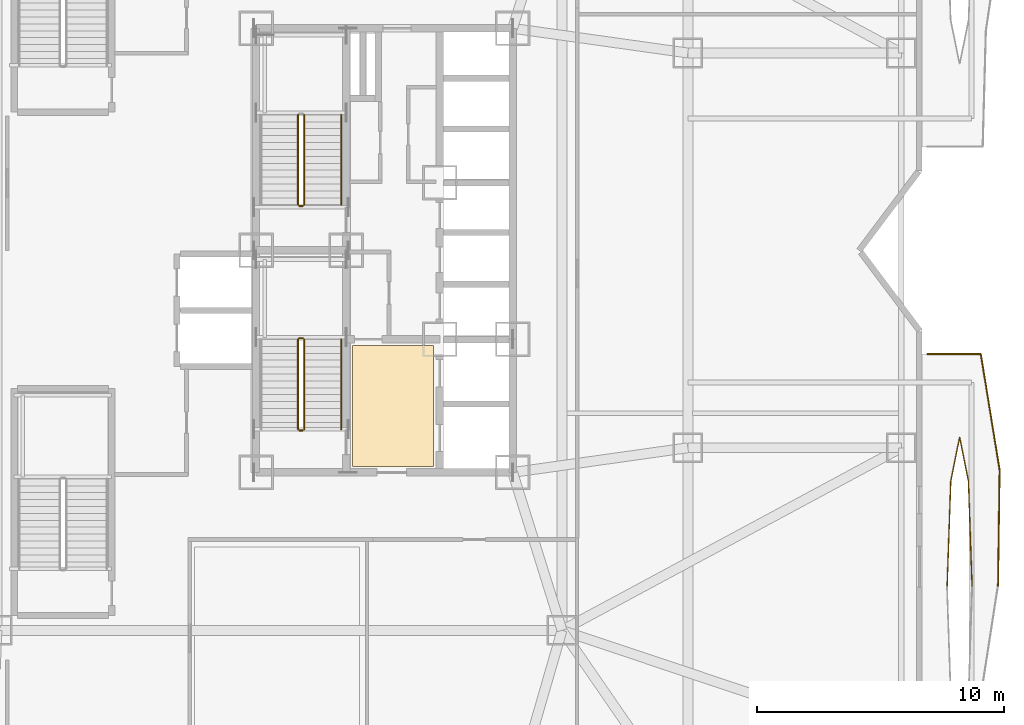
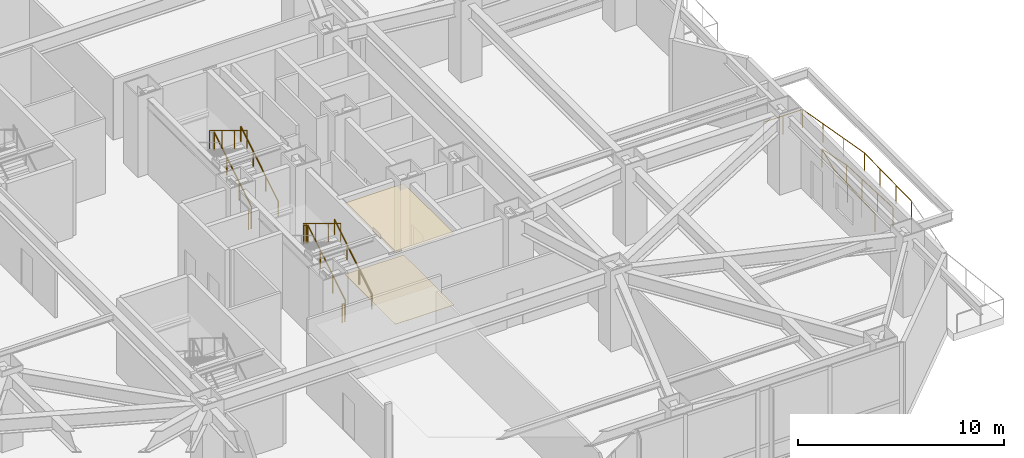
# One storey, part 30 of 33: 11 railings, 2 coverings.
"""IFC4 building model written with IfcOpenShell, lengths in metres."""

from ifc_helpers import new_model, si_unit, direction, frame, origin, origin_2d, place, context, subcontext, project, spatial, polyline, circle, outline, extrude, material, layer, layer_set, type_object, element, save


model = new_model("IFC4")

# Units and contexts
model_context = context("Model", 3, precision=1e-05, world=origin(), true_north=direction((0.0, 1.0)))
body_context = subcontext(model_context, "Body", "Model", "MODEL_VIEW")
ifc_project = project(units=[si_unit("LENGTHUNIT", "METRE"), si_unit("AREAUNIT", "SQUARE_METRE"), si_unit("VOLUMEUNIT", "CUBIC_METRE"), si_unit("PLANEANGLEUNIT", "RADIAN"), si_unit("MASSUNIT", "GRAM", prefix="KILO")], contexts=[model_context])

# Site, building, storey
site_placement = place(None, origin())
site = spatial("IfcSite", under=ifc_project, at=site_placement, CompositionType="ELEMENT")
building_placement = place(site_placement, origin())
building = spatial("IfcBuilding", under=site, at=building_placement, Name="Khamvora Tower", CompositionType="ELEMENT")
storey_placement = place(building_placement, frame((0.0, 0.0, 7.199951171875)))
storey = spatial("IfcBuildingStorey", under=building, at=storey_placement, Name="L01", CompositionType="ELEMENT", Elevation=7.199951171875)

# Coverings
ifc_material_1 = material(Name="Perforated Mineral-Fibre Acoustic Ceiling Tile", Category="gypsum")
ifc_layer_1 = layer(ifc_material_1, 0.02490234375)
ifc_layer_set_1 = layer_set([ifc_layer_1], Name="Perforated Mineral-Fibre Acoustic Ceiling Tile")
covering_type_1 = type_object("IfcCoveringType", Name="COV-CEIL-600", PredefinedType="CEILING", material=ifc_layer_set_1)
covering_1_placement = place(storey_placement, frame((0.0, 0.0, 4.22998046875)))
element("IfcCovering", 1, at=covering_1_placement, inside=storey, type_object=covering_type_1, Name="L01 core lobby suspended acoustic ceiling", PredefinedType="CEILING", context=body_context, shape_type="SweptSolid", body=[
    extrude(outline(polyline([(32.89990234375, 19.25), (36.199951171875, 19.25), (36.199951171875, 24.14990234375), (32.89990234375, 24.14990234375), (32.89990234375, 19.25)])), origin(), (0.0, 0.0, 1.0), 0.025146484375),
])
ifc_material_2 = material(Name="Honed Terrazzo Stone Tile", Category="masonry")
ifc_layer_2 = layer(ifc_material_2, 0.02001953125)
ifc_layer_set_2 = layer_set([ifc_layer_2], Name="Honed Terrazzo Stone Tile")
covering_type_2 = type_object("IfcCoveringType", Name="COV-FLOR-20", PredefinedType="FLOORING", material=ifc_layer_set_2)
covering_2_placement = place(storey_placement, origin())
element("IfcCovering", 2, at=covering_2_placement, inside=storey, type_object=covering_type_2, Name="L01 lift lobby terrazzo flooring", PredefinedType="FLOORING", context=body_context, shape_type="SweptSolid", body=[
    extrude(outline(polyline([(32.89990234375, 19.25), (36.199951171875, 19.25), (36.199951171875, 24.14990234375), (32.89990234375, 24.14990234375), (32.89990234375, 19.25)])), origin(), (0.0, 0.0, 1.0), 0.02001953125),
])

# Railings
ifc_material_3 = material(Name="Stainless Steel 316 and Laminated Glass", Category="steel")
railing_type_1 = type_object("IfcRailingType", Name="RAL-GAL-1120", PredefinedType="GUARDRAIL", material=ifc_material_3)
railing_1_placement = place(storey_placement, frame((59.072998046875, 14.39990234375, 0.0)))
element("IfcRailing", 3, at=railing_1_placement, inside=storey, type_object=railing_type_1, Name="L01 lens gallery north perimeter guardrail EL1", PredefinedType="GUARDRAIL", context=body_context, shape_type="SweptSolid", body=[
    extrude(circle(Radius=0.02392578125, at=origin_2d()), frame((0.0, 0.0, 1.09619140625), z_axis=(0.013815427675, 0.999904562425, 0.0), x_axis=(-0.999904562425, 0.013815427675, 0.0)), (0.0, 0.0, 1.0), 4.70068359375),
    extrude(circle(Radius=0.02392578125, at=origin_2d()), frame((0.06494140625, 4.7001953125, 1.09619140625), z_axis=(-0.160231839887, 0.987079407893, 0.0), x_axis=(-0.987079407893, -0.160231839887, 0.0)), (0.0, 0.0, 1.0), 4.761474609375),
    extrude(circle(Radius=0.02392578125, at=origin_2d()), frame((-0.697998046875, 9.400146484375, 1.09619140625), z_axis=(-1.0, 0.0, 0.0), x_axis=(0.0, -1.0, 0.0)), (0.0, 0.0, 1.0), 2.175048828125),
    extrude(circle(Radius=0.02099609375, at=origin_2d()), origin(), (0.0, 0.0, 1.0), 1.072021484375),
    extrude(circle(Radius=0.02099609375, at=origin_2d()), frame((0.021728515625, 1.566650390625, 0.0)), (0.0, 0.0, 1.0), 1.072021484375),
    extrude(circle(Radius=0.02099609375, at=origin_2d()), frame((0.043212890625, 3.133544921875, 0.0)), (0.0, 0.0, 1.0), 1.072021484375),
    extrude(circle(Radius=0.02099609375, at=origin_2d()), frame((0.06494140625, 4.7001953125, 0.0)), (0.0, 0.0, 1.0), 1.072021484375),
    extrude(circle(Radius=0.02099609375, at=origin_2d()), frame((-0.189453125, 6.266845703125, 0.0)), (0.0, 0.0, 1.0), 1.072021484375),
    extrude(circle(Radius=0.02099609375, at=origin_2d()), frame((-0.443603515625, 7.83349609375, 0.0)), (0.0, 0.0, 1.0), 1.072021484375),
    extrude(circle(Radius=0.02099609375, at=origin_2d()), frame((-0.697998046875, 9.400146484375, 0.0)), (0.0, 0.0, 1.0), 1.072021484375),
    extrude(circle(Radius=0.02099609375, at=origin_2d()), frame((-1.78564453125, 9.400146484375, 0.0)), (0.0, 0.0, 1.0), 1.072021484375),
    extrude(circle(Radius=0.02099609375, at=origin_2d()), frame((-2.873046875, 9.400146484375, 0.0)), (0.0, 0.0, 1.0), 1.072021484375),
])
railing_2_placement = place(storey_placement, frame((58.01904296875, 14.39990234375, 0.0)))
element("IfcRailing", 4, at=railing_2_placement, inside=storey, type_object=railing_type_1, Name="L01 lens gallery void guardrail EL1A", PredefinedType="GUARDRAIL", context=body_context, shape_type="SweptSolid", body=[
    extrude(circle(Radius=0.02392578125, at=origin_2d()), frame((0.0, 0.0, 1.09619140625), z_axis=(-0.034756605959, 0.999395806646, 0.0), x_axis=(-0.999395806646, -0.034756605959, 0.0)), (0.0, 0.0, 1.0), 4.2568359375),
    extrude(circle(Radius=0.02392578125, at=origin_2d()), frame((-0.14794921875, 4.254150390625, 1.09619140625), z_axis=(-0.198152924969, 0.98017111686, 0.0), x_axis=(-0.98017111686, -0.198152924969, 0.0)), (0.0, 0.0, 1.0), 1.797607421875),
    extrude(circle(Radius=0.02392578125, at=origin_2d()), frame((-0.504150390625, 6.01611328125, 1.09619140625), z_axis=(-0.198022438185, -0.980197487232, 0.0), x_axis=(0.980197487232, -0.198022438185, 0.0)), (0.0, 0.0, 1.0), 1.797607421875),
    extrude(circle(Radius=0.02392578125, at=origin_2d()), frame((-0.860107421875, 4.254150390625, 1.09619140625), z_axis=(-0.034756605959, -0.999395806646, 0.0), x_axis=(0.999395806646, -0.034756605959, 0.0)), (0.0, 0.0, 1.0), 4.2568359375),
    extrude(circle(Radius=0.02099609375, at=origin_2d()), origin(), (0.0, 0.0, 1.0), 1.072021484375),
    extrude(circle(Radius=0.02099609375, at=origin_2d()), frame((-0.04931640625, 1.41796875, 0.0)), (0.0, 0.0, 1.0), 1.072021484375),
    extrude(circle(Radius=0.02099609375, at=origin_2d()), frame((-0.0986328125, 2.836181640625, 0.0)), (0.0, 0.0, 1.0), 1.072021484375),
    extrude(circle(Radius=0.02099609375, at=origin_2d()), frame((-0.14794921875, 4.254150390625, 0.0)), (0.0, 0.0, 1.0), 1.072021484375),
    extrude(circle(Radius=0.02099609375, at=origin_2d()), frame((-0.504150390625, 6.01611328125, 0.0)), (0.0, 0.0, 1.0), 1.072021484375),
    extrude(circle(Radius=0.02099609375, at=origin_2d()), frame((-0.860107421875, 4.254150390625, 0.0)), (0.0, 0.0, 1.0), 1.072021484375),
    extrude(circle(Radius=0.02099609375, at=origin_2d()), frame((-0.909423828125, 2.836181640625, 0.0)), (0.0, 0.0, 1.0), 1.072021484375),
    extrude(circle(Radius=0.02099609375, at=origin_2d()), frame((-0.958740234375, 1.41796875, 0.0)), (0.0, 0.0, 1.0), 1.072021484375),
    extrude(circle(Radius=0.02099609375, at=origin_2d()), frame((-1.008056640625, 0.0, 0.0)), (0.0, 0.0, 1.0), 1.072021484375),
])
ifc_material_4 = material(Name="Brushed Stainless Steel 316", Category="steel")
railing_type_2 = type_object("IfcRailingType", Name="RAL-HDR-920", PredefinedType="HANDRAIL", material=ifc_material_4)
for number, where, name in (
    (5, (32.449951171875, 20.75, 0.17138671875), "L01 ST-01 stair handrail 1"),
    (6, (32.449951171875, 29.85009765625, 0.17138671875), "L01 ST-02 stair handrail 1"),
):
    element("IfcRailing", number, at=place(storey_placement, frame(where)), inside=storey, type_object=railing_type_2, Name=name, PredefinedType="HANDRAIL", context=body_context, shape_type="SweptSolid", body=[
        extrude(circle(Radius=0.02392578125, at=origin_2d()), frame((0.0, 0.0, 0.8759765625), z_axis=(0.0, 0.852824790078, 0.522197163366), x_axis=(-1.0, 0.0, 0.0)), (0.0, 0.0, 1.0), 4.26806640625),
        extrude(circle(Radius=0.02099609375, at=origin_2d()), origin(), (0.0, 0.0, 1.0), 0.851806640625),
        extrude(circle(Radius=0.02099609375, at=origin_2d()), frame((0.0, 1.21337890625, 0.742919921875)), (0.0, 0.0, 1.0), 0.851806640625),
        extrude(circle(Radius=0.02099609375, at=origin_2d()), frame((0.0, 2.426513671875, 1.48583984375)), (0.0, 0.0, 1.0), 0.851806640625),
        extrude(circle(Radius=0.02099609375, at=origin_2d()), frame((0.0, 3.639892578125, 2.228759765625)), (0.0, 0.0, 1.0), 0.851806640625),
    ])
ifc_material_5 = material(Name="Stainless Steel 316", Category="steel")
railing_type_3 = type_object("IfcRailingType", Name="RAL-STG-1100", PredefinedType="GUARDRAIL", material=ifc_material_5)
railing_3_placement = place(storey_placement, frame((30.949951171875, 20.75, 0.17138671875)))
element("IfcRailing", 7, at=railing_3_placement, inside=storey, type_object=railing_type_3, Name="L01 ST-01 stair guard 1", PredefinedType="GUARDRAIL", context=body_context, shape_type="SweptSolid", body=[
    extrude(circle(Radius=0.02392578125, at=origin_2d()), frame((0.0, 0.0, 1.076171875), z_axis=(0.0, 0.852824790078, 0.522197163366), x_axis=(-1.0, 0.0, 0.0)), (0.0, 0.0, 1.0), 4.26806640625),
    extrude(circle(Radius=0.02099609375, at=origin_2d()), origin(), (0.0, 0.0, 1.0), 1.052001953125),
    extrude(circle(Radius=0.02099609375, at=origin_2d()), frame((0.0, 1.21337890625, 0.742919921875)), (0.0, 0.0, 1.0), 1.052001953125),
    extrude(circle(Radius=0.02099609375, at=origin_2d()), frame((0.0, 2.426513671875, 1.48583984375)), (0.0, 0.0, 1.0), 1.052001953125),
    extrude(circle(Radius=0.02099609375, at=origin_2d()), frame((0.0, 3.639892578125, 2.228759765625)), (0.0, 0.0, 1.0), 1.052001953125),
])
railing_4_placement = place(storey_placement, frame((30.89990234375, 24.43994140625, 2.400146484375)))
element("IfcRailing", 8, at=railing_4_placement, inside=storey, type_object=railing_type_3, Name="L01 ST-01 stair guard 2", PredefinedType="GUARDRAIL", context=body_context, shape_type="SweptSolid", body=[
    extrude(circle(Radius=0.02392578125, at=origin_2d()), frame((0.0, 0.0, 1.076171875), z_axis=(-1.0, 0.0, 0.0), x_axis=(0.0, -1.0, 0.0)), (0.0, 0.0, 1.0), 0.14990234375),
    extrude(circle(Radius=0.02099609375, at=origin_2d()), origin(), (0.0, 0.0, 1.0), 1.052001953125),
    extrude(circle(Radius=0.02099609375, at=origin_2d()), frame((-0.14990234375, 0.0, 0.0)), (0.0, 0.0, 1.0), 1.052001953125),
])
railing_5_placement = place(storey_placement, frame((30.699951171875, 24.389892578125, 2.571533203125)))
element("IfcRailing", 9, at=railing_5_placement, inside=storey, type_object=railing_type_3, Name="L01 ST-01 stair guard 3", PredefinedType="GUARDRAIL", context=body_context, shape_type="SweptSolid", body=[
    extrude(circle(Radius=0.02392578125, at=origin_2d()), frame((0.0, 0.0, 1.076171875), z_axis=(0.0, -0.852850264322, 0.5221555579), x_axis=(1.0, 0.0, 0.0)), (0.0, 0.0, 1.0), 4.267822265625),
    extrude(circle(Radius=0.02099609375, at=origin_2d()), origin(), (0.0, 0.0, 1.0), 1.052001953125),
    extrude(circle(Radius=0.02099609375, at=origin_2d()), frame((0.0, -1.21337890625, 0.742919921875)), (0.0, 0.0, 1.0), 1.052001953125),
    extrude(circle(Radius=0.02099609375, at=origin_2d()), frame((0.0, -2.426513671875, 1.485595703125)), (0.0, 0.0, 1.0), 1.052001953125),
    extrude(circle(Radius=0.02099609375, at=origin_2d()), frame((0.0, -3.639892578125, 2.228515625)), (0.0, 0.0, 1.0), 1.052001953125),
])
railing_6_placement = place(storey_placement, frame((30.89990234375, 20.699951171875, 0.0)))
element("IfcRailing", 10, at=railing_6_placement, inside=storey, type_object=railing_type_3, Name="L01 ST-01 stair guard 4", PredefinedType="GUARDRAIL", context=body_context, shape_type="SweptSolid", body=[
    extrude(circle(Radius=0.02392578125, at=origin_2d()), frame((0.0, 0.0, 1.076171875), z_axis=(-1.0, 0.0, 0.0), x_axis=(0.0, -1.0, 0.0)), (0.0, 0.0, 1.0), 0.14990234375),
    extrude(circle(Radius=0.02099609375, at=origin_2d()), origin(), (0.0, 0.0, 1.0), 1.052001953125),
    extrude(circle(Radius=0.02099609375, at=origin_2d()), frame((-0.14990234375, 0.0, 0.0)), (0.0, 0.0, 1.0), 1.052001953125),
])
railing_7_placement = place(storey_placement, frame((30.949951171875, 29.85009765625, 0.17138671875)))
element("IfcRailing", 11, at=railing_7_placement, inside=storey, type_object=railing_type_3, Name="L01 ST-02 stair guard 1", PredefinedType="GUARDRAIL", context=body_context, shape_type="SweptSolid", body=[
    extrude(circle(Radius=0.02392578125, at=origin_2d()), frame((0.0, 0.0, 1.076171875), z_axis=(0.0, 0.852824790078, 0.522197163366), x_axis=(-1.0, 0.0, 0.0)), (0.0, 0.0, 1.0), 4.26806640625),
    extrude(circle(Radius=0.02099609375, at=origin_2d()), origin(), (0.0, 0.0, 1.0), 1.052001953125),
    extrude(circle(Radius=0.02099609375, at=origin_2d()), frame((0.0, 1.21337890625, 0.742919921875)), (0.0, 0.0, 1.0), 1.052001953125),
    extrude(circle(Radius=0.02099609375, at=origin_2d()), frame((0.0, 2.426513671875, 1.48583984375)), (0.0, 0.0, 1.0), 1.052001953125),
    extrude(circle(Radius=0.02099609375, at=origin_2d()), frame((0.0, 3.639892578125, 2.228759765625)), (0.0, 0.0, 1.0), 1.052001953125),
])
railing_8_placement = place(storey_placement, frame((30.699951171875, 33.489990234375, 2.571533203125)))
element("IfcRailing", 12, at=railing_8_placement, inside=storey, type_object=railing_type_3, Name="L01 ST-02 stair guard 3", PredefinedType="GUARDRAIL", context=body_context, shape_type="SweptSolid", body=[
    extrude(circle(Radius=0.02392578125, at=origin_2d()), frame((0.0, 0.0, 1.076171875), z_axis=(0.0, -0.852850264322, 0.5221555579), x_axis=(1.0, 0.0, 0.0)), (0.0, 0.0, 1.0), 4.267822265625),
    extrude(circle(Radius=0.02099609375, at=origin_2d()), origin(), (0.0, 0.0, 1.0), 1.052001953125),
    extrude(circle(Radius=0.02099609375, at=origin_2d()), frame((0.0, -1.21337890625, 0.742919921875)), (0.0, 0.0, 1.0), 1.052001953125),
    extrude(circle(Radius=0.02099609375, at=origin_2d()), frame((0.0, -2.426513671875, 1.485595703125)), (0.0, 0.0, 1.0), 1.052001953125),
    extrude(circle(Radius=0.02099609375, at=origin_2d()), frame((0.0, -3.639892578125, 2.228515625)), (0.0, 0.0, 1.0), 1.052001953125),
])
railing_9_placement = place(storey_placement, frame((30.89990234375, 29.800048828125, 0.0)))
element("IfcRailing", 13, at=railing_9_placement, inside=storey, type_object=railing_type_3, Name="L01 ST-02 stair guard 4", PredefinedType="GUARDRAIL", context=body_context, shape_type="SweptSolid", body=[
    extrude(circle(Radius=0.02392578125, at=origin_2d()), frame((0.0, 0.0, 1.076171875), z_axis=(-1.0, 0.0, 0.0), x_axis=(0.0, -1.0, 0.0)), (0.0, 0.0, 1.0), 0.14990234375),
    extrude(circle(Radius=0.02099609375, at=origin_2d()), origin(), (0.0, 0.0, 1.0), 1.052001953125),
    extrude(circle(Radius=0.02099609375, at=origin_2d()), frame((-0.14990234375, 0.0, 0.0)), (0.0, 0.0, 1.0), 1.052001953125),
])

save(model, "model.ifc")
